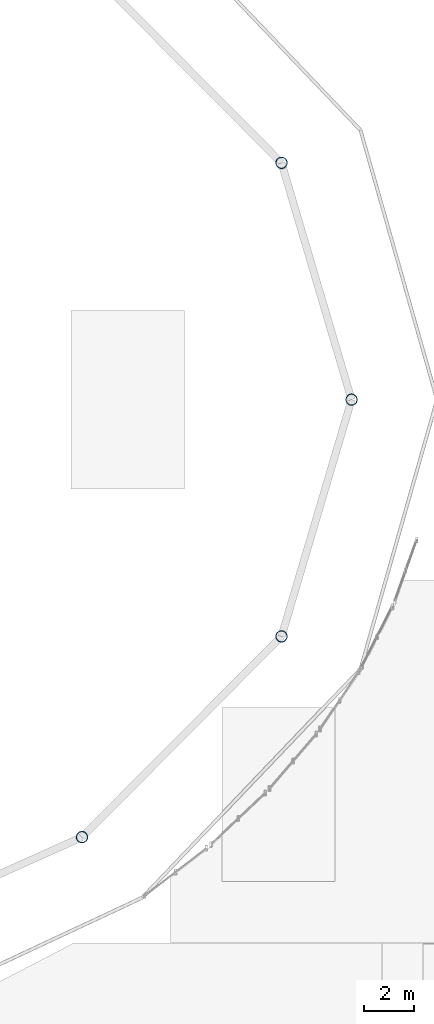
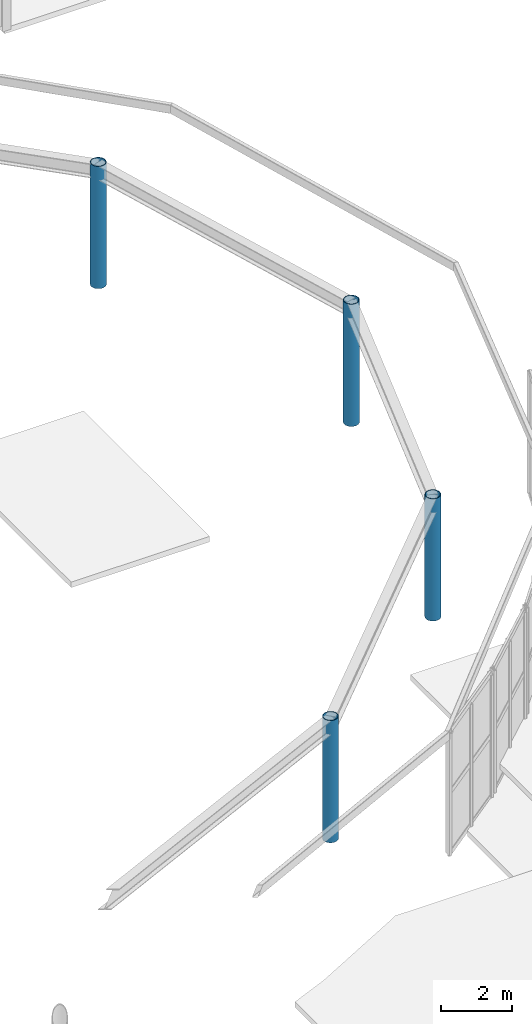
# One storey, part 4 of 73: 4 columns.
"""IFC4 building model written with IfcOpenShell, lengths in metres."""

import ifcopenshell
import ifcopenshell.guid

model = None  # the IFC model being written
_history = None  # IfcOwnerHistory: only IFC2X3 demands one
_inside = {}  # id of a spatial element -> (the spatial element, [elements in it])
_under = {}  # id of a project, library or spatial element -> (it, [spatial elements below it])
_declared = {}  # id of a project -> (the project, [libraries it declares])
_typed = {}  # id of a type object -> (the type object, [elements of that type])
_made_of = {}  # id of a material, layer set ... -> (it, [elements and type objects made of it])


def new_model(schema):
    """Start an empty IFC model of exactly this schema.

    Asked for "IFC4X3", IfcOpenShell would pick the latest addendum, in which some entities
    have other attributes; the version numbers below select the first issue.
    IFC2X3 requires an IfcOwnerHistory on every rooted entity: one is made here for all.
    """
    global model, _history
    if schema == "IFC4X3":
        model = ifcopenshell.file(schema_version=(4, 3, 0, 0))
    else:
        model = ifcopenshell.file(schema=schema)
    _inside.clear()
    _under.clear()
    _declared.clear()
    _typed.clear()
    _made_of.clear()
    _history = None
    if model.schema == "IFC2X3":
        org = make("IfcOrganization", Name="unknown")
        user = make(
            "IfcPersonAndOrganization",
            ThePerson=make("IfcPerson", FamilyName="unknown"),
            TheOrganization=org,
        )
        app = make(
            "IfcApplication",
            ApplicationDeveloper=org,
            Version="unknown",
            ApplicationFullName="unknown",
            ApplicationIdentifier="unknown",
        )
        _history = make(
            "IfcOwnerHistory",
            OwningUser=user,
            OwningApplication=app,
            ChangeAction="ADDED",
            CreationDate=0,
        )
    return model


def make(cls, **values):
    """One entity of the class cls with the attributes given. An attribute that is None is left unset."""
    return model.create_entity(
        cls, **{name: value for name, value in values.items() if value is not None}
    )


def rooted(cls, **values):
    """An entity with a GlobalId (a new one), such as an element, a storey or a relation."""
    return make(cls, GlobalId=ifcopenshell.guid.new(), OwnerHistory=_history, **values)


def si_unit(unit_type, name, prefix=None):
    """IfcSIUnit, for example si_unit("LENGTHUNIT", "METRE", prefix="MILLI")."""
    return make("IfcSIUnit", UnitType=unit_type, Prefix=prefix, Name=name)


def derived_unit(unit_type, elements):
    """IfcDerivedUnit: a product of units, each with its exponent."""
    return make(
        "IfcDerivedUnit",
        Elements=[
            make("IfcDerivedUnitElement", Unit=unit, Exponent=power)
            for unit, power in elements
        ],
        UnitType=unit_type,
    )


def assignment(units):
    """IfcUnitAssignment: the units of a project."""
    return None if units is None else make("IfcUnitAssignment", Units=units)


def point(xyz):
    """IfcCartesianPoint."""
    return None if xyz is None else make("IfcCartesianPoint", Coordinates=xyz)


def direction(xyz):
    """IfcDirection."""
    return None if xyz is None else make("IfcDirection", DirectionRatios=xyz)


def frame(location, z_axis=None, x_axis=None):
    """IfcAxis2Placement3D, a coordinate frame: its origin and axes. An axis left out is left unset."""
    return make(
        "IfcAxis2Placement3D",
        Location=point(location),
        Axis=direction(z_axis),
        RefDirection=direction(x_axis),
    )


def frame_2d(location, x_axis=None):
    """IfcAxis2Placement2D, a coordinate frame in the plane: its origin and x axis."""
    return make(
        "IfcAxis2Placement2D", Location=point(location), RefDirection=direction(x_axis)
    )


def origin():
    """The frame at (0, 0, 0) with its axes left unset."""
    return frame((0.0, 0.0, 0.0))


def origin_2d():
    """The frame at (0, 0) in the plane with its x axis left unset."""
    return frame_2d((0.0, 0.0))


def place(relative_to, where):
    """IfcLocalPlacement: puts the frame where relative to a parent placement (None: the world)."""
    return make(
        "IfcLocalPlacement", PlacementRelTo=relative_to, RelativePlacement=where
    )


def context(
    kind, dimensions, precision=None, world=None, true_north=None, identifier=None
):
    """IfcGeometricRepresentationContext, for example the 3D "Model" context."""
    return make(
        "IfcGeometricRepresentationContext",
        ContextIdentifier=identifier,
        ContextType=kind,
        CoordinateSpaceDimension=dimensions,
        Precision=precision,
        WorldCoordinateSystem=world,
        TrueNorth=true_north,
    )


def subcontext(parent, identifier, kind, view, scale=None):
    """IfcGeometricRepresentationSubContext, for example "Body" below "Model"."""
    return make(
        "IfcGeometricRepresentationSubContext",
        ContextIdentifier=identifier,
        ContextType=kind,
        ParentContext=parent,
        TargetScale=scale,
        TargetView=view,
    )


def project(units=None, contexts=None):
    """IfcProject with its units and contexts."""
    return rooted(
        "IfcProject",
        Name="project",
        RepresentationContexts=contexts,
        UnitsInContext=assignment(units),
    )


def spatial(cls, under=None, at=None, **own):
    """A site, building, storey or space (cls), placed at a placement, below another one or the project."""
    s = rooted(cls, ObjectPlacement=at, **own)
    if under is not None:
        _under.setdefault(under.id(), (under, []))[1].append(s)
    return s


def profile(cls, at=None, kind="AREA", **sizes):
    """A parametric profile (cls). Its sizes go by their IFC names, for example OverallWidth=200.0."""
    return make(cls, ProfileType=kind, Position=at, **sizes)


def hollow_circle(**sizes):
    """IfcCircleHollowProfileDef."""
    return profile("IfcCircleHollowProfileDef", **sizes)


def extrude(swept, where, along, depth):
    """IfcExtrudedAreaSolid: the profile swept, set in the frame where, extruded along a direction by depth."""
    return make(
        "IfcExtrudedAreaSolid",
        SweptArea=swept,
        Position=where,
        ExtrudedDirection=direction(along),
        Depth=depth,
    )


def shape(context_of_items, identifier, shape_type, items):
    """IfcShapeRepresentation: the items that make up one representation, for example the "Body"."""
    return make(
        "IfcShapeRepresentation",
        ContextOfItems=context_of_items,
        RepresentationIdentifier=identifier,
        RepresentationType=shape_type,
        Items=items,
    )


def material(Name=None, Category=None):
    """IfcMaterial."""
    return make("IfcMaterial", Name=Name, Category=Category)


def material_profile(
    of_material, cross_section, Name=None, Category=None, Priority=None
):
    """IfcMaterialProfile: a cross section and its material."""
    return make(
        "IfcMaterialProfile",
        Name=Name,
        Material=of_material,
        Profile=cross_section,
        Priority=Priority,
        Category=Category,
    )


def profile_set(profiles, Name=None, composite=None):
    """IfcMaterialProfileSet."""
    return make(
        "IfcMaterialProfileSet",
        Name=Name,
        MaterialProfiles=profiles,
        CompositeProfile=composite,
    )


def made_of(thing, what):
    """Note that an element or type object is made of a material, layer set ...; save() writes the relation."""
    if what is not None:
        _made_of.setdefault(what.id(), (what, []))[1].append(thing)
    return thing


def type_object(cls, material=None, **own):
    """A type object (cls), such as IfcWallType, which elements share."""
    return made_of(rooted(cls, **own), material)


def element(
    cls,
    number,
    at=None,
    inside=None,
    cuts=None,
    type_object=None,
    material=None,
    context=None,
    identifier="Body",
    shape_type=None,
    held_by="IfcProductDefinitionShape",
    body=None,
    shapes=None,
    **own,
):
    """One element of the class cls, such as IfcWall. Its Tag is "e" and its number.

    at: its placement. inside: the storey or other place that contains it. cuts: it is an
    opening in that element (IfcRelVoidsElement). A single representation is given by context,
    identifier, shape_type and body (its items); several are given by shapes. held_by: the class
    of the entity that holds the representations. save() writes the other relations.
    """
    e = rooted(cls, Tag="e%d" % number, ObjectPlacement=at, **own)
    if body is not None:
        shapes = [shape(context, identifier, shape_type, body)]
    if shapes is not None:
        e.Representation = make(held_by, Representations=shapes)
    if inside is not None:
        _inside.setdefault(inside.id(), (inside, []))[1].append(e)
    if cuts is not None:
        rooted(
            "IfcRelVoidsElement", RelatingBuildingElement=cuts, RelatedOpeningElement=e
        )
    if type_object is not None:
        _typed.setdefault(type_object.id(), (type_object, []))[1].append(e)
    return made_of(e, material)


def aggregate(whole, parts):
    """IfcRelAggregates: a whole, such as a stair, and the parts it consists of."""
    return rooted("IfcRelAggregates", RelatingObject=whole, RelatedObjects=parts)


def save(model, path):
    """Write the relations noted so far, then the file.

    IfcRelAggregates (storeys below a building ...), IfcRelContainedInSpatialStructure (elements
    in a storey), IfcRelDefinesByType, IfcRelAssociatesMaterial and IfcRelDeclares: one each for
    every whole, place, type object, material and project.
    """
    for whole, parts in _under.values():
        aggregate(whole, parts)
    for where, things in _inside.values():
        rooted(
            "IfcRelContainedInSpatialStructure",
            RelatedElements=things,
            RelatingStructure=where,
        )
    for kind, things in _typed.values():
        rooted("IfcRelDefinesByType", RelatedObjects=things, RelatingType=kind)
    for what, things in _made_of.values():
        rooted("IfcRelAssociatesMaterial", RelatedObjects=things, RelatingMaterial=what)
    for by, libraries in _declared.values():
        rooted("IfcRelDeclares", RelatingContext=by, RelatedDefinitions=libraries)
    model.write(path)


model = new_model("IFC4")

# Units and contexts
model_context = context("Model", 3, precision=1e-05, world=origin(), true_north=direction((0.0, 1.0)))
body_context = subcontext(model_context, "Body", "Model", "MODEL_VIEW")
ifc_project = project(units=[si_unit("LENGTHUNIT", "METRE"), si_unit("AREAUNIT", "SQUARE_METRE"), si_unit("VOLUMEUNIT", "CUBIC_METRE"), si_unit("PLANEANGLEUNIT", "RADIAN"), si_unit("MASSUNIT", "GRAM", prefix="KILO"), derived_unit("THERMALTRANSMITTANCEUNIT", [(si_unit("MASSUNIT", "GRAM", prefix="KILO"), 1), (si_unit("TIMEUNIT", "SECOND"), -3), (si_unit("THERMODYNAMICTEMPERATUREUNIT", "KELVIN"), -1)])], contexts=[model_context])

# Site, building, storey
site_placement = place(None, origin())
site = spatial("IfcSite", under=ifc_project, at=site_placement, CompositionType="ELEMENT")
building_placement = place(site_placement, origin())
building = spatial("IfcBuilding", under=site, at=building_placement, Name="Kharveza Railside Sports Centre", CompositionType="ELEMENT")
storey_placement = place(building_placement, frame((0.0, 0.0, 8.699951171875)))
storey = spatial("IfcBuildingStorey", under=building, at=storey_placement, Name="L02", CompositionType="ELEMENT", Elevation=8.699951171875)

# Columns
ifc_material = material(Name="Steel S355J2", Category="steel")
ifc_material_profile = material_profile(ifc_material, hollow_circle(Radius=0.228515625, WallThickness=0.02001953125, at=origin_2d()), Name="CHS 457.0x20.0")
ifc_profile_set = profile_set([ifc_material_profile], Name="Steel S355J2")
column_type = type_object("IfcColumnType", Name="COL-T01", PredefinedType="COLUMN", material=ifc_profile_set)
for number, where, z_axis, x_axis, name in (
    (1, (91.199951171875, 50.39990234375, 0.0), (0.0, 0.0, 1.0), (1.0, 0.0, 0.0), "COL-DRUM-01-L02"),
    (2, (88.4140625, 59.81396484375, 0.0), (0.0, 0.0, 1.0), (1.0, 0.0, 0.0), "COL-DRUM-02-L02"),
    (3, (80.47998046875, 33.005126953125, 0.0), (0.0, 0.0, 1.0), (1.0, 0.0, 0.0), "COL-DRUM-15-L02"),
    (4, (88.4140625, 40.986083984375, 0.0), (0.0, 0.0, 1.0), (1.0, 0.0, 0.0), "COL-DRUM-16-L02"),
):
    element("IfcColumn", number, at=place(storey_placement, frame(where, z_axis=z_axis, x_axis=x_axis)), inside=storey, type_object=column_type, Name=name, PredefinedType="COLUMN", context=body_context, shape_type="SweptSolid", body=[
        extrude(hollow_circle(Radius=0.228515625, WallThickness=0.02001953125, at=origin_2d()), origin(), (0.0, 0.0, 1.0), 4.199951171875),
    ])

save(model, "model.ifc")
